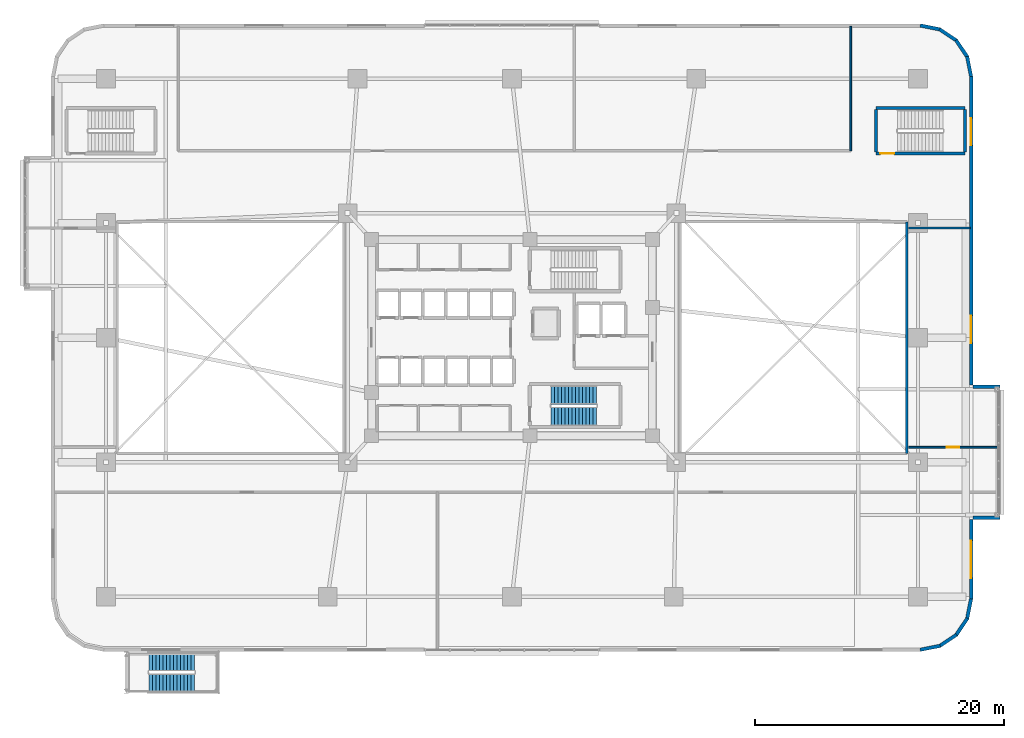
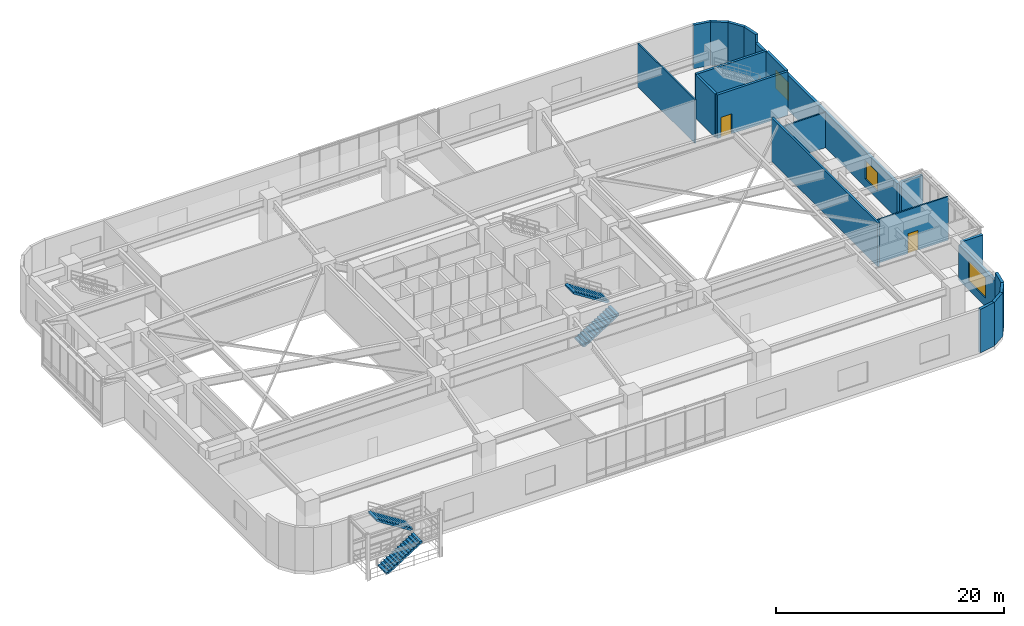
# One storey, part 18 of 24: 20 walls, 4 stair flights, 3 windows, 2 doors, 5 openings, 2 elements without a shape of their own.
"""IFC4 building model written with IfcOpenShell, lengths in metres."""

import ifcopenshell
import ifcopenshell.guid

model = None  # the IFC model being written
_history = None  # IfcOwnerHistory: only IFC2X3 demands one
_inside = {}  # id of a spatial element -> (the spatial element, [elements in it])
_under = {}  # id of a project, library or spatial element -> (it, [spatial elements below it])
_declared = {}  # id of a project -> (the project, [libraries it declares])
_typed = {}  # id of a type object -> (the type object, [elements of that type])
_made_of = {}  # id of a material, layer set ... -> (it, [elements and type objects made of it])


def new_model(schema):
    """Start an empty IFC model of exactly this schema.

    Asked for "IFC4X3", IfcOpenShell would pick the latest addendum, in which some entities
    have other attributes; the version numbers below select the first issue.
    IFC2X3 requires an IfcOwnerHistory on every rooted entity: one is made here for all.
    """
    global model, _history
    if schema == "IFC4X3":
        model = ifcopenshell.file(schema_version=(4, 3, 0, 0))
    else:
        model = ifcopenshell.file(schema=schema)
    _inside.clear()
    _under.clear()
    _declared.clear()
    _typed.clear()
    _made_of.clear()
    _history = None
    if model.schema == "IFC2X3":
        org = make("IfcOrganization", Name="unknown")
        user = make(
            "IfcPersonAndOrganization",
            ThePerson=make("IfcPerson", FamilyName="unknown"),
            TheOrganization=org,
        )
        app = make(
            "IfcApplication",
            ApplicationDeveloper=org,
            Version="unknown",
            ApplicationFullName="unknown",
            ApplicationIdentifier="unknown",
        )
        _history = make(
            "IfcOwnerHistory",
            OwningUser=user,
            OwningApplication=app,
            ChangeAction="ADDED",
            CreationDate=0,
        )
    return model


def make(cls, **values):
    """One entity of the class cls with the attributes given. An attribute that is None is left unset."""
    return model.create_entity(
        cls, **{name: value for name, value in values.items() if value is not None}
    )


def rooted(cls, **values):
    """An entity with a GlobalId (a new one), such as an element, a storey or a relation."""
    return make(cls, GlobalId=ifcopenshell.guid.new(), OwnerHistory=_history, **values)


def si_unit(unit_type, name, prefix=None):
    """IfcSIUnit, for example si_unit("LENGTHUNIT", "METRE", prefix="MILLI")."""
    return make("IfcSIUnit", UnitType=unit_type, Prefix=prefix, Name=name)


def assignment(units):
    """IfcUnitAssignment: the units of a project."""
    return None if units is None else make("IfcUnitAssignment", Units=units)


def point(xyz):
    """IfcCartesianPoint."""
    return None if xyz is None else make("IfcCartesianPoint", Coordinates=xyz)


def direction(xyz):
    """IfcDirection."""
    return None if xyz is None else make("IfcDirection", DirectionRatios=xyz)


def frame(location, z_axis=None, x_axis=None):
    """IfcAxis2Placement3D, a coordinate frame: its origin and axes. An axis left out is left unset."""
    return make(
        "IfcAxis2Placement3D",
        Location=point(location),
        Axis=direction(z_axis),
        RefDirection=direction(x_axis),
    )


def frame_2d(location, x_axis=None):
    """IfcAxis2Placement2D, a coordinate frame in the plane: its origin and x axis."""
    return make(
        "IfcAxis2Placement2D", Location=point(location), RefDirection=direction(x_axis)
    )


def origin():
    """The frame at (0, 0, 0) with its axes left unset."""
    return frame((0.0, 0.0, 0.0))


def place(relative_to, where):
    """IfcLocalPlacement: puts the frame where relative to a parent placement (None: the world)."""
    return make(
        "IfcLocalPlacement", PlacementRelTo=relative_to, RelativePlacement=where
    )


def context(
    kind, dimensions, precision=None, world=None, true_north=None, identifier=None
):
    """IfcGeometricRepresentationContext, for example the 3D "Model" context."""
    return make(
        "IfcGeometricRepresentationContext",
        ContextIdentifier=identifier,
        ContextType=kind,
        CoordinateSpaceDimension=dimensions,
        Precision=precision,
        WorldCoordinateSystem=world,
        TrueNorth=true_north,
    )


def subcontext(parent, identifier, kind, view, scale=None):
    """IfcGeometricRepresentationSubContext, for example "Body" below "Model"."""
    return make(
        "IfcGeometricRepresentationSubContext",
        ContextIdentifier=identifier,
        ContextType=kind,
        ParentContext=parent,
        TargetScale=scale,
        TargetView=view,
    )


def project(units=None, contexts=None):
    """IfcProject with its units and contexts."""
    return rooted(
        "IfcProject",
        Name="project",
        RepresentationContexts=contexts,
        UnitsInContext=assignment(units),
    )


def spatial(cls, under=None, at=None, **own):
    """A site, building, storey or space (cls), placed at a placement, below another one or the project."""
    s = rooted(cls, ObjectPlacement=at, **own)
    if under is not None:
        _under.setdefault(under.id(), (under, []))[1].append(s)
    return s


def polyline(points):
    """IfcPolyline through the points."""
    return make("IfcPolyline", Points=[point(p) for p in points])


def profile(cls, at=None, kind="AREA", **sizes):
    """A parametric profile (cls). Its sizes go by their IFC names, for example OverallWidth=200.0."""
    return make(cls, ProfileType=kind, Position=at, **sizes)


def rectangle(**sizes):
    """IfcRectangleProfileDef."""
    return profile("IfcRectangleProfileDef", **sizes)


def outline(outer, holes=None, kind="AREA"):
    """IfcArbitraryClosedProfileDef: a profile drawn as a closed curve; with holes, ...WithVoids."""
    if holes is None:
        return make("IfcArbitraryClosedProfileDef", ProfileType=kind, OuterCurve=outer)
    return make(
        "IfcArbitraryProfileDefWithVoids",
        ProfileType=kind,
        OuterCurve=outer,
        InnerCurves=holes,
    )


def extrude(swept, where, along, depth):
    """IfcExtrudedAreaSolid: the profile swept, set in the frame where, extruded along a direction by depth."""
    return make(
        "IfcExtrudedAreaSolid",
        SweptArea=swept,
        Position=where,
        ExtrudedDirection=direction(along),
        Depth=depth,
    )


def shape(context_of_items, identifier, shape_type, items):
    """IfcShapeRepresentation: the items that make up one representation, for example the "Body"."""
    return make(
        "IfcShapeRepresentation",
        ContextOfItems=context_of_items,
        RepresentationIdentifier=identifier,
        RepresentationType=shape_type,
        Items=items,
    )


def material(Name=None, Category=None):
    """IfcMaterial."""
    return make("IfcMaterial", Name=Name, Category=Category)


def layer(
    of_material, thickness, ventilated=None, Name=None, Category=None, Priority=None
):
    """IfcMaterialLayer: one layer of a wall or slab, of a material (None: an air gap)."""
    return make(
        "IfcMaterialLayer",
        Material=of_material,
        LayerThickness=thickness,
        IsVentilated=ventilated,
        Name=Name,
        Category=Category,
        Priority=Priority,
    )


def layer_set(layers, Name=None):
    """IfcMaterialLayerSet."""
    return make("IfcMaterialLayerSet", MaterialLayers=layers, LayerSetName=Name)


def made_of(thing, what):
    """Note that an element or type object is made of a material, layer set ...; save() writes the relation."""
    if what is not None:
        _made_of.setdefault(what.id(), (what, []))[1].append(thing)
    return thing


def type_object(cls, material=None, **own):
    """A type object (cls), such as IfcWallType, which elements share."""
    return made_of(rooted(cls, **own), material)


def element(
    cls,
    number,
    at=None,
    inside=None,
    cuts=None,
    type_object=None,
    material=None,
    context=None,
    identifier="Body",
    shape_type=None,
    held_by="IfcProductDefinitionShape",
    body=None,
    shapes=None,
    **own,
):
    """One element of the class cls, such as IfcWall. Its Tag is "e" and its number.

    at: its placement. inside: the storey or other place that contains it. cuts: it is an
    opening in that element (IfcRelVoidsElement). A single representation is given by context,
    identifier, shape_type and body (its items); several are given by shapes. held_by: the class
    of the entity that holds the representations. save() writes the other relations.
    """
    e = rooted(cls, Tag="e%d" % number, ObjectPlacement=at, **own)
    if body is not None:
        shapes = [shape(context, identifier, shape_type, body)]
    if shapes is not None:
        e.Representation = make(held_by, Representations=shapes)
    if inside is not None:
        _inside.setdefault(inside.id(), (inside, []))[1].append(e)
    if cuts is not None:
        rooted(
            "IfcRelVoidsElement", RelatingBuildingElement=cuts, RelatedOpeningElement=e
        )
    if type_object is not None:
        _typed.setdefault(type_object.id(), (type_object, []))[1].append(e)
    return made_of(e, material)


def fill(opening, filler):
    """IfcRelFillsElement: the door or window that sits in an opening."""
    return rooted(
        "IfcRelFillsElement",
        RelatingOpeningElement=opening,
        RelatedBuildingElement=filler,
    )


def aggregate(whole, parts):
    """IfcRelAggregates: a whole, such as a stair, and the parts it consists of."""
    return rooted("IfcRelAggregates", RelatingObject=whole, RelatedObjects=parts)


def save(model, path):
    """Write the relations noted so far, then the file.

    IfcRelAggregates (storeys below a building ...), IfcRelContainedInSpatialStructure (elements
    in a storey), IfcRelDefinesByType, IfcRelAssociatesMaterial and IfcRelDeclares: one each for
    every whole, place, type object, material and project.
    """
    for whole, parts in _under.values():
        aggregate(whole, parts)
    for where, things in _inside.values():
        rooted(
            "IfcRelContainedInSpatialStructure",
            RelatedElements=things,
            RelatingStructure=where,
        )
    for kind, things in _typed.values():
        rooted("IfcRelDefinesByType", RelatedObjects=things, RelatingType=kind)
    for what, things in _made_of.values():
        rooted("IfcRelAssociatesMaterial", RelatedObjects=things, RelatingMaterial=what)
    for by, libraries in _declared.values():
        rooted("IfcRelDeclares", RelatingContext=by, RelatedDefinitions=libraries)
    model.write(path)


model = new_model("IFC4")

# Units and contexts
model_context = context("Model", 3, precision=1e-05, world=origin(), true_north=direction((0.0, 1.0)))
body_context = subcontext(model_context, "Body", "Model", "MODEL_VIEW")
ifc_project = project(units=[si_unit("LENGTHUNIT", "METRE"), si_unit("AREAUNIT", "SQUARE_METRE"), si_unit("VOLUMEUNIT", "CUBIC_METRE"), si_unit("PLANEANGLEUNIT", "RADIAN"), si_unit("MASSUNIT", "GRAM", prefix="KILO")], contexts=[model_context])

# Site, building, storey
site_placement = place(None, origin())
site = spatial("IfcSite", under=ifc_project, at=site_placement, CompositionType="ELEMENT")
building_placement = place(site_placement, origin())
building = spatial("IfcBuilding", under=site, at=building_placement, Name="Zulverin Broadcast Headquarters", CompositionType="ELEMENT")
storey_placement = place(building_placement, frame((0.0, 0.0, 5.0)))
storey = spatial("IfcBuildingStorey", under=building, at=storey_placement, Name="L01", CompositionType="ELEMENT", Elevation=5.0)

# Wall
ifc_material_1 = material(Name="Acoustic drywall steel stud", Category="steel")
ifc_layer_1 = layer(ifc_material_1, 0.199951171875, Name="Acoustic drywall steel stud", Category="steel")
ifc_layer_set_1 = layer_set([ifc_layer_1], Name="Acoustic drywall steel stud")
wall_type_1 = type_object("IfcWallType", Name="WL-ACOU-200", PredefinedType="PARTITIONING", material=ifc_layer_set_1)
wall_1_placement = place(storey_placement, frame((68.699951171875, 15.89990234375, 0.0), z_axis=(0.0, 0.0, 1.0), x_axis=(0.0, 1.0, 0.0)))
element("IfcWall", 1, at=wall_1_placement, inside=storey, type_object=wall_type_1, Name="L01 EAST Studio Void E Wall", PredefinedType="PARTITIONING", context=body_context, shape_type="SweptSolid", body=[
    extrude(rectangle(XDim=18.60009765625, YDim=0.199951171875, at=frame_2d((9.300048828125, 0.0))), origin(), (0.0, 0.0, 1.0), 4.659912109375),
])

# Wall, opening, window
ifc_material_2 = material(Name="Insulated pale-metal clad concrete spandrel C40/50", Category="concrete")
ifc_layer_2 = layer(ifc_material_2, 0.280029296875, Name="Insulated pale-metal clad concrete spandrel C40/50", Category="concrete")
ifc_layer_set_2 = layer_set([ifc_layer_2], Name="Insulated pale-metal clad concrete spandrel C40/50")
wall_type_2 = type_object("IfcWallType", Name="WL-EXT-280", PredefinedType="STANDARD", material=ifc_layer_set_2)
wall_2_placement = place(storey_placement, frame((73.860107421875, 4.199951171875, 0.0), z_axis=(0.0, 0.0, 1.0), x_axis=(0.0, 1.0, 0.0)))
wall_2 = element("IfcWall", 2, at=wall_2_placement, inside=storey, type_object=wall_type_2, Name="L01 Podium Spandrel Wall 1-1", PredefinedType="STANDARD", context=body_context, shape_type="SweptSolid", body=[
    extrude(rectangle(XDim=6.400146484375, YDim=0.280029296875, at=frame_2d((3.2001953125, 0.0))), origin(), (0.0, 0.0, 1.0), 3.760009765625),
])
opening_1_placement = place(wall_2_placement, frame((1.699951171875, 0.0, 0.89990234375)))
opening_1 = element("IfcOpeningElement", 3, at=opening_1_placement, cuts=wall_2, Name="Opening W-L01-E1S11", PredefinedType="OPENING", context=body_context, shape_type="SweptSolid", body=[
    extrude(rectangle(XDim=3.0, YDim=2.199951171875, at=frame_2d((1.5, 1.10009765625))), frame((0.0, 0.14990234375, 0.0), z_axis=(0.0, -1.0, 0.0), x_axis=(1.0, 0.0, 0.0)), (0.0, 0.0, 1.0), 0.300048828125),
])
ifc_material_3 = material(Name="Pale anodized aluminium frame with solar-control low-E double glazing", Category="aluminium")
window_type_1 = type_object("IfcWindowType", Name="WIN-POD-3000", PartitioningType="SINGLE_PANEL", PredefinedType="WINDOW", material=ifc_material_3)
window_1_placement = place(opening_1_placement, origin())
window_1 = element("IfcWindow", 4, at=window_1_placement, inside=storey, type_object=window_type_1, Name="L01 Podium Ribbon Window 1-1 1", OverallHeight=2.199951171875, OverallWidth=3.0, PartitioningType="SINGLE_PANEL", PredefinedType="WINDOW", context=body_context, shape_type="SweptSolid", body=[
    extrude(rectangle(XDim=3.0, YDim=2.199951171875, at=frame_2d((1.5, 1.10009765625))), frame((0.0, 0.030029296875, 0.0), z_axis=(0.0, -1.0, 0.0), x_axis=(1.0, 0.0, 0.0)), (0.0, 0.0, 1.0), 0.06005859375),
])
fill(opening_1, window_1)

# Wall, openings, windows
wall_3_placement = place(storey_placement, frame((73.860107421875, 21.39990234375, 0.0), z_axis=(0.0, 0.0, 1.0), x_axis=(0.0, 1.0, 0.0)))
wall_3 = element("IfcWall", 5, at=wall_3_placement, inside=storey, type_object=wall_type_2, Name="L01 Podium Spandrel Wall 1-2", PredefinedType="STANDARD", context=body_context, shape_type="SweptSolid", body=[
    extrude(rectangle(XDim=24.800048828125, YDim=0.280029296875, at=frame_2d((12.39990234375, 0.0))), origin(), (0.0, 0.0, 1.0), 3.760009765625),
])
opening_2_placement = place(wall_3_placement, frame((3.36669921875, 0.0, 0.89990234375)))
opening_2 = element("IfcOpeningElement", 6, at=opening_2_placement, cuts=wall_3, Name="Opening W-L01-E1S21", PredefinedType="OPENING", context=body_context, shape_type="SweptSolid", body=[
    extrude(rectangle(XDim=2.199951171875, YDim=1.949951171875, at=frame_2d((1.10009765625, 0.97509765625))), frame((0.0, 0.14990234375, 0.0), z_axis=(0.0, -1.0, 0.0), x_axis=(1.0, 0.0, 0.0)), (0.0, 0.0, 1.0), 0.300048828125),
])
opening_3_placement = place(wall_3_placement, frame((19.2333984375, 0.0, 0.89990234375)))
opening_3 = element("IfcOpeningElement", 7, at=opening_3_placement, cuts=wall_3, Name="Opening W-L01-E1S22", PredefinedType="OPENING", context=body_context, shape_type="SweptSolid", body=[
    extrude(rectangle(XDim=2.199951171875, YDim=1.949951171875, at=frame_2d((1.10009765625, 0.97509765625))), frame((0.0, 0.14990234375, 0.0), z_axis=(0.0, -1.0, 0.0), x_axis=(1.0, 0.0, 0.0)), (0.0, 0.0, 1.0), 0.300048828125),
])
window_type_2 = type_object("IfcWindowType", Name="WIN-POD-2200", PartitioningType="SINGLE_PANEL", PredefinedType="WINDOW", material=ifc_material_3)
window_2_placement = place(opening_2_placement, origin())
window_2 = element("IfcWindow", 8, at=window_2_placement, inside=storey, type_object=window_type_2, Name="L01 Podium Ribbon Window 1-2 1", OverallHeight=1.949951171875, OverallWidth=2.199951171875, PartitioningType="SINGLE_PANEL", PredefinedType="WINDOW", context=body_context, shape_type="SweptSolid", body=[
    extrude(rectangle(XDim=2.199951171875, YDim=1.949951171875, at=frame_2d((1.10009765625, 0.97509765625))), frame((0.0, 0.030029296875, 0.0), z_axis=(0.0, -1.0, 0.0), x_axis=(1.0, 0.0, 0.0)), (0.0, 0.0, 1.0), 0.06005859375),
])
fill(opening_2, window_2)
window_3_placement = place(opening_3_placement, origin())
window_3 = element("IfcWindow", 9, at=window_3_placement, inside=storey, type_object=window_type_2, Name="L01 Podium Ribbon Window 1-2 2", OverallHeight=1.949951171875, OverallWidth=2.199951171875, PartitioningType="SINGLE_PANEL", PredefinedType="WINDOW", context=body_context, shape_type="SweptSolid", body=[
    extrude(rectangle(XDim=2.199951171875, YDim=1.949951171875, at=frame_2d((1.10009765625, 0.97509765625))), frame((0.0, 0.030029296875, 0.0), z_axis=(0.0, -1.0, 0.0), x_axis=(1.0, 0.0, 0.0)), (0.0, 0.0, 1.0), 0.06005859375),
])
fill(opening_3, window_3)

# Walls
for number, where, z_axis, x_axis, name in (
    (10, (73.86279296875, 46.172607421875, 0.0), (0.0, 0.0, 1.0), (-0.195142046967, 0.980774990253, 0.0), "L01 Wind-Shaped Corner Spandrel Wall 1-1"),
    (11, (73.56396484375, 47.7294921875, 0.0), (0.0, 0.0, 1.0), (-0.555662407875, 0.831408015643, 0.0), "L01 Wind-Shaped Corner Spandrel Wall 1-2"),
):
    element("IfcWall", number, at=place(storey_placement, frame(where, z_axis=z_axis, x_axis=x_axis)), inside=storey, type_object=wall_type_2, Name=name, PredefinedType="STANDARD", context=body_context, shape_type="SweptSolid", body=[
        extrude(rectangle(XDim=1.638916015625, YDim=0.280029296875, at=frame_2d((0.8193359375, 0.0))), origin(), (0.0, 0.0, 1.0), 4.659912109375),
    ])
wall_4_placement = place(storey_placement, frame((72.69189453125, 49.053466796875, 0.0), z_axis=(0.0, 0.0, 1.0), x_axis=(-0.831430845238, 0.555628247651, 0.0)))
element("IfcWall", 12, at=wall_4_placement, inside=storey, type_object=wall_type_2, Name="L01 Wind-Shaped Corner Spandrel Wall 1-3", PredefinedType="STANDARD", context=body_context, shape_type="SweptSolid", body=[
    extrude(rectangle(XDim=1.638427734375, YDim=0.280029296875, at=frame_2d((0.8193359375, 0.0))), origin(), (0.0, 0.0, 1.0), 4.659912109375),
])
for number, where, z_axis, x_axis, name in (
    (13, (71.3798828125, 49.943115234375, 0.0), (0.0, 0.0, 1.0), (-0.980797825116, 0.195027244885, 0.0), "L01 Wind-Shaped Corner Spandrel Wall 1-4"),
    (14, (69.772705078125, 0.13720703125, 0.0), (0.0, 0.0, 1.0), (0.980769316421, 0.19517056122, 0.0), "L01 Wind-Shaped Corner Spandrel Wall 4-1"),
    (15, (71.32958984375, 0.43603515625, 0.0), (0.0, 0.0, 1.0), (0.831362010656, 0.555731236514, 0.0), "L01 Wind-Shaped Corner Spandrel Wall 4-2"),
    (16, (72.6533203125, 1.30810546875, 0.0), (0.0, 0.0, 1.0), (0.555731236514, 0.831362010656, 0.0), "L01 Wind-Shaped Corner Spandrel Wall 4-3"),
    (17, (73.54296875, 2.6201171875, 0.0), (0.0, 0.0, 1.0), (0.19517056122, 0.980769316421, 0.0), "L01 Wind-Shaped Corner Spandrel Wall 4-4"),
):
    element("IfcWall", number, at=place(storey_placement, frame(where, z_axis=z_axis, x_axis=x_axis)), inside=storey, type_object=wall_type_2, Name=name, PredefinedType="STANDARD", context=body_context, shape_type="SweptSolid", body=[
        extrude(rectangle(XDim=1.638671875, YDim=0.280029296875, at=frame_2d((0.8193359375, 0.0))), origin(), (0.0, 0.0, 1.0), 4.659912109375),
    ])
for number, where, z_axis, x_axis, name in (
    (18, (74.0, 10.739990234375, 0.0), (0.0, 0.0, 1.0), (1.0, 0.0, 0.0), "L01 Shifted Studio Box Cheek Wall SBOX_POD_LOWER_E1-S"),
    (19, (74.0, 21.260009765625, 0.0), (0.0, 0.0, 1.0), (1.0, 0.0, 0.0), "L01 Shifted Studio Box Cheek Wall SBOX_POD_LOWER_E1-N"),
):
    element("IfcWall", number, at=place(storey_placement, frame(where, z_axis=z_axis, x_axis=x_axis)), inside=storey, type_object=wall_type_2, Name=name, PredefinedType="STANDARD", context=body_context, shape_type="SweptSolid", body=[
        extrude(rectangle(XDim=2.199951171875, YDim=0.280029296875, at=frame_2d((1.10009765625, 0.0))), origin(), (0.0, 0.0, 1.0), 3.967041015625),
    ])
ifc_material_4 = material(Name="Fire-rated gypsum stud partition", Category="gypsum")
ifc_layer_3 = layer(ifc_material_4, 0.14990234375, Name="Fire-rated gypsum stud partition", Category="gypsum")
ifc_layer_set_3 = layer_set([ifc_layer_3], Name="Fire-rated gypsum stud partition")
wall_type_3 = type_object("IfcWallType", Name="WL-PART-150", PredefinedType="PARTITIONING", material=ifc_layer_set_3)
wall_5_placement = place(storey_placement, frame((64.199951171875, 40.199951171875, 0.0), z_axis=(0.0, 0.0, 1.0), x_axis=(0.0, 1.0, 0.0)))
element("IfcWall", 20, at=wall_5_placement, inside=storey, type_object=wall_type_3, Name="L01 Gallery Partition Wall CG-02", PredefinedType="PARTITIONING", context=body_context, shape_type="SweptSolid", body=[
    extrude(rectangle(XDim=9.9951171875, YDim=0.14990234375, at=frame_2d((4.99755859375, 0.0))), origin(), (0.0, 0.0, 1.0), 4.659912109375),
])

# Wall, opening, door
wall_6_placement = place(storey_placement, frame((68.85009765625, 16.39990234375, 0.0), z_axis=(0.0, 0.0, 1.0), x_axis=(1.0, 0.0, 0.0)))
wall_6 = element("IfcWall", 21, at=wall_6_placement, inside=storey, type_object=wall_type_3, Name="L01 Gallery Partition Wall CG-09", PredefinedType="PARTITIONING", context=body_context, shape_type="SweptSolid", body=[
    extrude(rectangle(XDim=7.14501953125, YDim=0.14990234375, at=frame_2d((3.572509765625, 0.0))), origin(), (0.0, 0.0, 1.0), 4.659912109375),
])
opening_4_placement = place(wall_6_placement, frame((3.072509765625, 0.0, 0.0)))
opening_4 = element("IfcOpeningElement", 22, at=opening_4_placement, cuts=wall_6, Name="Opening D-L01-GALE", PredefinedType="OPENING", context=body_context, shape_type="SweptSolid", body=[
    extrude(rectangle(XDim=1.0, YDim=2.1201171875, at=frame_2d((0.5, 1.06005859375))), frame((0.0, 0.0849609375, 0.0), z_axis=(0.0, -1.0, 0.0), x_axis=(1.0, 0.0, 0.0)), (0.0, 0.0, 1.0), 0.169921875),
])
ifc_material_5 = material(Name="Hardwood veneer acoustic leaf", Category="wood")
door_type_1 = type_object("IfcDoorType", Name="DR-OFF-1000", OperationType="SINGLE_SWING_LEFT", PredefinedType="DOOR", material=ifc_material_5)
door_1_placement = place(opening_4_placement, origin())
door_1 = element("IfcDoor", 23, at=door_1_placement, inside=storey, type_object=door_type_1, Name="L01 East Studio Control Gallery Door", OperationType="SINGLE_SWING_LEFT", OverallHeight=2.1201171875, OverallWidth=1.0, PredefinedType="DOOR", context=body_context, shape_type="SweptSolid", body=[
    extrude(rectangle(XDim=1.0, YDim=2.1201171875, at=frame_2d((0.5, 1.06005859375))), frame((0.0, 0.02490234375, 0.0), z_axis=(0.0, -1.0, 0.0), x_axis=(1.0, 0.0, 0.0)), (0.0, 0.0, 1.0), 0.050048828125),
])
fill(opening_4, door_1)

# Wall
wall_7_placement = place(storey_placement, frame((68.85009765625, 34.0, 0.0), z_axis=(0.0, 0.0, 1.0), x_axis=(1.0, 0.0, 0.0)))
element("IfcWall", 24, at=wall_7_placement, inside=storey, type_object=wall_type_3, Name="L01 Gallery Partition Wall CG-11", PredefinedType="PARTITIONING", context=body_context, shape_type="SweptSolid", body=[
    extrude(rectangle(XDim=4.94482421875, YDim=0.14990234375, at=frame_2d((2.472412109375, 0.0))), origin(), (0.0, 0.0, 1.0), 3.760009765625),
])

# Wall, opening, door
ifc_material_6 = material(Name="Concrete C50/60", Category="concrete")
ifc_layer_4 = layer(ifc_material_6, 0.25, Name="Concrete C50/60", Category="concrete")
ifc_layer_set_4 = layer_set([ifc_layer_4], Name="Concrete C50/60")
wall_type_4 = type_object("IfcWallType", Name="WL-SHAFT-250", PredefinedType="SHEAR", material=ifc_layer_set_4)
wall_8_placement = place(storey_placement, frame((66.22509765625, 39.97509765625, 0.0), z_axis=(0.0, 0.0, 1.0), x_axis=(1.0, 0.0, 0.0)))
wall_8 = element("IfcWall", 25, at=wall_8_placement, inside=storey, type_object=wall_type_4, Name="L01 ST-4 Enclosure Wall S", PredefinedType="SHEAR", context=body_context, shape_type="SweptSolid", body=[
    extrude(rectangle(XDim=7.14990234375, YDim=0.25, at=frame_2d((3.574951171875, 0.0))), origin(), (0.0, 0.0, 1.0), 4.659912109375),
])
opening_5_placement = place(wall_8_placement, frame((0.35009765625, 0.0, 0.0)))
opening_5 = element("IfcOpeningElement", 26, at=opening_5_placement, cuts=wall_8, Name="Opening D-L01-ST-4", PredefinedType="OPENING", context=body_context, shape_type="SweptSolid", body=[
    extrude(rectangle(XDim=1.10009765625, YDim=2.14990234375, at=frame_2d((0.550048828125, 1.074951171875))), frame((0.0, 0.135009765625, 0.0), z_axis=(0.0, -1.0, 0.0), x_axis=(1.0, 0.0, 0.0)), (0.0, 0.0, 1.0), 0.27001953125),
])
ifc_material_7 = material(Name="Fire-rated steel leaf and frame", Category="steel")
door_type_2 = type_object("IfcDoorType", Name="DR-STAIR-1100", OperationType="SINGLE_SWING_LEFT", PredefinedType="DOOR", material=ifc_material_7)
door_2_placement = place(opening_5_placement, origin())
door_2 = element("IfcDoor", 27, at=door_2_placement, inside=storey, type_object=door_type_2, Name="L01 Exit Stair ST-4 Fire Door", OperationType="SINGLE_SWING_RIGHT", OverallHeight=2.14990234375, OverallWidth=1.10009765625, PredefinedType="DOOR", context=body_context, shape_type="SweptSolid", body=[
    extrude(rectangle(XDim=1.10009765625, YDim=2.14990234375, at=frame_2d((0.550048828125, 1.074951171875))), frame((0.0, 0.02490234375, 0.0), z_axis=(0.0, -1.0, 0.0), x_axis=(1.0, 0.0, 0.0)), (0.0, 0.0, 1.0), 0.050048828125),
])
fill(opening_5, door_2)

# Walls
wall_9_placement = place(storey_placement, frame((66.22509765625, 43.625, 0.0), z_axis=(0.0, 0.0, 1.0), x_axis=(1.0, 0.0, 0.0)))
element("IfcWall", 28, at=wall_9_placement, inside=storey, type_object=wall_type_4, Name="L01 ST-4 Enclosure Wall N", PredefinedType="SHEAR", context=body_context, shape_type="SweptSolid", body=[
    extrude(rectangle(XDim=7.14990234375, YDim=0.25, at=frame_2d((3.574951171875, 0.0))), origin(), (0.0, 0.0, 1.0), 4.659912109375),
])
for number, where, z_axis, x_axis, name in (
    (29, (66.22509765625, 40.10009765625, 0.0), (0.0, 0.0, 1.0), (0.0, 1.0, 0.0), "L01 ST-4 Enclosure Wall W"),
    (30, (73.375, 40.10009765625, 0.0), (0.0, 0.0, 1.0), (0.0, 1.0, 0.0), "L01 ST-4 Enclosure Wall E"),
):
    element("IfcWall", number, at=place(storey_placement, frame(where, z_axis=z_axis, x_axis=x_axis)), inside=storey, type_object=wall_type_4, Name=name, PredefinedType="SHEAR", context=body_context, shape_type="SweptSolid", body=[
        extrude(rectangle(XDim=3.39990234375, YDim=0.25, at=frame_2d((1.699951171875, 0.0))), origin(), (0.0, 0.0, 1.0), 4.659912109375),
    ])

# Stair, stair flights
ifc_material_8 = material(Name="Concrete C40/50", Category="concrete")
stair_type_1 = type_object("IfcStairType", Name="ST-CORE-1500", PredefinedType="HALF_TURN_STAIR", material=ifc_material_8)
stair_1_placement = place(storey_placement, origin())
stair_1 = element("IfcStair", 31, at=stair_1_placement, inside=storey, type_object=stair_type_1, Name="L01 Core Exit Stair ST-2", PredefinedType="HALF_TURN_STAIR")
stair_flight_type_1 = type_object("IfcStairFlightType", Name="SF-CORE-1500", PredefinedType="STRAIGHT", material=ifc_material_8)
stair_flight_1_placement = place(storey_placement, frame((40.1298828125, 18.89990234375, 0.0), z_axis=(0.0, 0.0, 1.0), x_axis=(1.0, 0.0, 0.0)))
stair_flight_1 = element("IfcStairFlight", 32, at=stair_flight_1_placement, type_object=stair_flight_type_1, Name="ST-2 flight 1", NumberOfRisers=14, NumberOfTreads=13, PredefinedType="STRAIGHT", RiserHeight=0.178571429, TreadLength=0.28, context=body_context, shape_type="SweptSolid", body=[
    extrude(outline(polyline([(0.0, 0.0), (0.0, 0.178466796875), (0.280029296875, 0.178466796875), (0.280029296875, 0.357177734375), (0.56005859375, 0.357177734375), (0.56005859375, 0.53564453125), (0.840087890625, 0.53564453125), (0.840087890625, 0.71435546875), (1.1201171875, 0.71435546875), (1.1201171875, 0.892822265625), (1.39990234375, 0.892822265625), (1.39990234375, 1.071533203125), (1.679931640625, 1.071533203125), (1.679931640625, 1.25), (1.9599609375, 1.25), (1.9599609375, 1.428466796875), (2.239990234375, 1.428466796875), (2.239990234375, 1.607177734375), (2.52001953125, 1.607177734375), (2.52001953125, 1.78564453125), (2.800048828125, 1.78564453125), (2.800048828125, 1.96435546875), (3.080078125, 1.96435546875), (3.080078125, 2.142822265625), (3.360107421875, 2.142822265625), (3.360107421875, 2.321533203125), (3.639892578125, 2.321533203125), (3.639892578125, 2.5), (3.639892578125, 2.1435546875), (0.27880859375, 0.0), (0.0, 0.0)])), frame((0.0, 0.75, 0.0), z_axis=(0.0, -1.0, 0.0), x_axis=(1.0, 0.0, 0.0)), (0.0, 0.0, 1.0), 1.5),
])
stair_flight_2_placement = place(storey_placement, frame((43.77001953125, 20.60009765625, 2.5), z_axis=(0.0, 0.0, 1.0), x_axis=(-1.0, 0.0, 0.0)))
stair_flight_2 = element("IfcStairFlight", 33, at=stair_flight_2_placement, type_object=stair_flight_type_1, Name="ST-2 flight 2", NumberOfRisers=14, NumberOfTreads=13, PredefinedType="STRAIGHT", RiserHeight=0.178571429, TreadLength=0.28, context=body_context, shape_type="SweptSolid", body=[
    extrude(outline(polyline([(0.0, 0.0), (0.0, 0.178466796875), (0.280029296875, 0.178466796875), (0.280029296875, 0.357177734375), (0.56005859375, 0.357177734375), (0.56005859375, 0.53564453125), (0.840087890625, 0.53564453125), (0.840087890625, 0.71435546875), (1.1201171875, 0.71435546875), (1.1201171875, 0.892822265625), (1.39990234375, 0.892822265625), (1.39990234375, 1.071533203125), (1.679931640625, 1.071533203125), (1.679931640625, 1.25), (1.9599609375, 1.25), (1.9599609375, 1.428466796875), (2.239990234375, 1.428466796875), (2.239990234375, 1.607177734375), (2.52001953125, 1.607177734375), (2.52001953125, 1.78564453125), (2.800048828125, 1.78564453125), (2.800048828125, 1.96435546875), (3.080078125, 1.96435546875), (3.080078125, 2.142822265625), (3.360107421875, 2.142822265625), (3.360107421875, 2.321533203125), (3.639892578125, 2.321533203125), (3.639892578125, 2.5), (3.639892578125, 2.1435546875), (0.27880859375, 0.0), (0.0, 0.0)])), frame((0.0, 0.75, 0.0), z_axis=(0.0, -1.0, 0.0), x_axis=(1.0, 0.0, 0.0)), (0.0, 0.0, 1.0), 1.5),
])
aggregate(stair_1, [stair_flight_1, stair_flight_2])

stair_type_2 = type_object("IfcStairType", Name="ST-GDN-1500", PredefinedType="HALF_TURN_STAIR", material=ifc_material_8)
stair_2_placement = place(storey_placement, origin())
stair_2 = element("IfcStair", 34, at=stair_2_placement, inside=storey, type_object=stair_type_2, Name="L01 Exterior Public Garden Stair ST-5", PredefinedType="HALF_TURN_STAIR")
stair_flight_type_2 = type_object("IfcStairFlightType", Name="SF-GDN-1500", PredefinedType="STRAIGHT", material=ifc_material_8)
stair_flight_3_placement = place(storey_placement, frame((7.85009765625, -2.530029296875, 0.0), z_axis=(0.0, 0.0, 1.0), x_axis=(1.0, 0.0, 0.0)))
stair_flight_3 = element("IfcStairFlight", 35, at=stair_flight_3_placement, type_object=stair_flight_type_2, Name="ST-5 flight 1", NumberOfRisers=14, NumberOfTreads=13, PredefinedType="STRAIGHT", RiserHeight=0.178571429, TreadLength=0.28, context=body_context, shape_type="SweptSolid", body=[
    extrude(outline(polyline([(0.0, 0.0), (0.0, 0.178466796875), (0.280029296875, 0.178466796875), (0.280029296875, 0.357177734375), (0.56005859375, 0.357177734375), (0.56005859375, 0.53564453125), (0.840087890625, 0.53564453125), (0.840087890625, 0.71435546875), (1.1201171875, 0.71435546875), (1.1201171875, 0.892822265625), (1.39990234375, 0.892822265625), (1.39990234375, 1.071533203125), (1.679931640625, 1.071533203125), (1.679931640625, 1.25), (1.9599609375, 1.25), (1.9599609375, 1.428466796875), (2.239990234375, 1.428466796875), (2.239990234375, 1.607177734375), (2.52001953125, 1.607177734375), (2.52001953125, 1.78564453125), (2.800048828125, 1.78564453125), (2.800048828125, 1.96435546875), (3.080078125, 1.96435546875), (3.080078125, 2.142822265625), (3.360107421875, 2.142822265625), (3.360107421875, 2.321533203125), (3.639892578125, 2.321533203125), (3.639892578125, 2.5), (3.639892578125, 2.1435546875), (0.27880859375, 0.0), (0.0, 0.0)])), frame((0.0, 0.75, 0.0), z_axis=(0.0, -1.0, 0.0), x_axis=(1.0, 0.0, 0.0)), (0.0, 0.0, 1.0), 1.5),
])
stair_flight_4_placement = place(storey_placement, frame((11.489990234375, -0.830078125, 2.5), z_axis=(0.0, 0.0, 1.0), x_axis=(-1.0, 0.0, 0.0)))
stair_flight_4 = element("IfcStairFlight", 36, at=stair_flight_4_placement, type_object=stair_flight_type_2, Name="ST-5 flight 2", NumberOfRisers=14, NumberOfTreads=13, PredefinedType="STRAIGHT", RiserHeight=0.178571429, TreadLength=0.28, context=body_context, shape_type="SweptSolid", body=[
    extrude(outline(polyline([(0.0, 0.0), (0.0, 0.178466796875), (0.280029296875, 0.178466796875), (0.280029296875, 0.357177734375), (0.56005859375, 0.357177734375), (0.56005859375, 0.53564453125), (0.840087890625, 0.53564453125), (0.840087890625, 0.71435546875), (1.1201171875, 0.71435546875), (1.1201171875, 0.892822265625), (1.39990234375, 0.892822265625), (1.39990234375, 1.071533203125), (1.679931640625, 1.071533203125), (1.679931640625, 1.25), (1.9599609375, 1.25), (1.9599609375, 1.428466796875), (2.239990234375, 1.428466796875), (2.239990234375, 1.607177734375), (2.52001953125, 1.607177734375), (2.52001953125, 1.78564453125), (2.800048828125, 1.78564453125), (2.800048828125, 1.96435546875), (3.080078125, 1.96435546875), (3.080078125, 2.142822265625), (3.360107421875, 2.142822265625), (3.360107421875, 2.321533203125), (3.639892578125, 2.321533203125), (3.639892578125, 2.5), (3.639892578125, 2.1435546875), (0.27880859375, 0.0), (0.0, 0.0)])), frame((0.0, 0.75, 0.0), z_axis=(0.0, -1.0, 0.0), x_axis=(1.0, 0.0, 0.0)), (0.0, 0.0, 1.0), 1.5),
])
aggregate(stair_2, [stair_flight_3, stair_flight_4])

save(model, "model.ifc")
